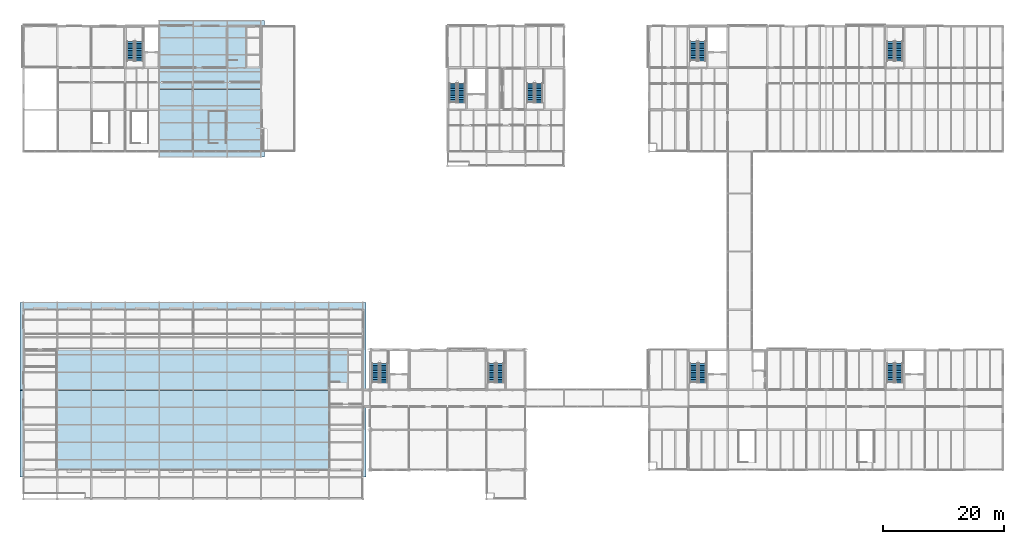
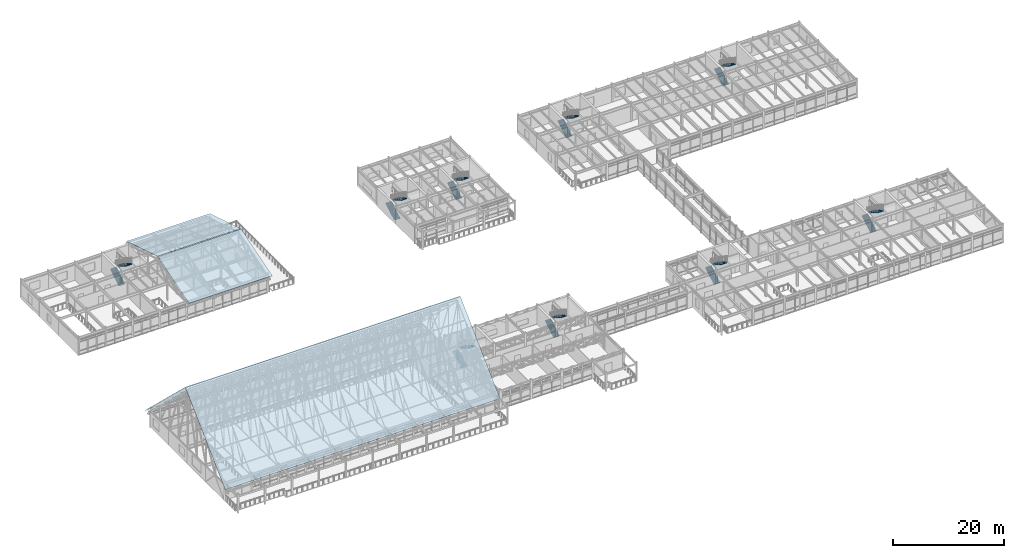
# One storey, part 138 of 144: 18 stair flights, 4 roofs, 9 elements without a shape of their own.
"""IFC4 building model written with IfcOpenShell, lengths in metres."""

from ifc_helpers import new_model, si_unit, direction, frame, origin, place, context, subcontext, project, spatial, polyline, outline, extrude, material, layer, layer_set, type_object, element, aggregate, save


model = new_model("IFC4")

# Units and contexts
model_context = context("Model", 3, precision=1e-05, world=origin(), true_north=direction((0.0, 1.0)))
body_context = subcontext(model_context, "Body", "Model", "MODEL_VIEW")
ifc_project = project(units=[si_unit("LENGTHUNIT", "METRE"), si_unit("AREAUNIT", "SQUARE_METRE"), si_unit("VOLUMEUNIT", "CUBIC_METRE"), si_unit("PLANEANGLEUNIT", "RADIAN"), si_unit("MASSUNIT", "GRAM", prefix="KILO")], contexts=[model_context])

# Site, building, storey
site_placement = place(None, origin())
site = spatial("IfcSite", under=ifc_project, at=site_placement, CompositionType="ELEMENT")
building_placement = place(site_placement, origin())
building = spatial("IfcBuilding", under=site, at=building_placement, Name="Trelmorton Wharf Fire Station", CompositionType="ELEMENT")
storey_placement = place(building_placement, frame((0.0, 0.0, 5.39990234375)))
storey = spatial("IfcBuildingStorey", under=building, at=storey_placement, Name="L01", CompositionType="ELEMENT", Elevation=5.39990234375)

# Stair, stair flights
ifc_material_1 = material(Name="Precast concrete 45 MPa", Category="concrete")
stair_type = type_object("IfcStairType", Name="ST_DOG_420", PredefinedType="HALF_TURN_STAIR", material=ifc_material_1)
stair_1_placement = place(storey_placement, origin())
stair_1 = element("IfcStair", 1, at=stair_1_placement, inside=storey, type_object=stair_type, Name="Escape Stair ST3-L01", PredefinedType="HALF_TURN_STAIR")
ifc_layer_1 = layer(ifc_material_1, 0.139892578125)
ifc_layer_set_1 = layer_set([ifc_layer_1], Name="Precast concrete 45 MPa")
stair_flight_type_1 = type_object("IfcStairFlightType", Name="SF_PRE_120", PredefinedType="STRAIGHT", material=ifc_layer_set_1)
stair_flight_1_placement = place(storey_placement, frame((78.06005859375, 22.139892578125, 0.0), z_axis=(0.0, 0.0, 1.0), x_axis=(0.0, 1.0, 0.0)))
stair_flight_1 = element("IfcStairFlight", 2, at=stair_flight_1_placement, type_object=stair_flight_type_1, Name="ST3-L01 flight 1", NumberOfRisers=12, NumberOfTreads=11, PredefinedType="STRAIGHT", RiserHeight=0.175, TreadLength=0.29, context=body_context, shape_type="SweptSolid", body=[
    extrude(outline(polyline([(0.0, 0.0), (0.0, 0.175048828125), (0.2900390625, 0.175048828125), (0.2900390625, 0.35009765625), (0.580078125, 0.35009765625), (0.580078125, 0.52490234375), (0.8701171875, 0.52490234375), (0.8701171875, 0.699951171875), (1.159912109375, 0.699951171875), (1.159912109375, 0.875), (1.449951171875, 0.875), (1.449951171875, 1.050048828125), (1.739990234375, 1.050048828125), (1.739990234375, 1.22509765625), (2.030029296875, 1.22509765625), (2.030029296875, 1.39990234375), (2.320068359375, 1.39990234375), (2.320068359375, 1.574951171875), (2.610107421875, 1.574951171875), (2.610107421875, 1.75), (2.89990234375, 1.75), (2.89990234375, 1.925048828125), (3.18994140625, 1.925048828125), (3.18994140625, 2.10009765625), (3.18994140625, 1.73828125), (0.3095703125, 0.0), (0.0, 0.0)])), frame((0.0, 0.60009765625, 0.0), z_axis=(0.0, -1.0, 0.0), x_axis=(1.0, 0.0, 0.0)), (0.0, 0.0, 1.0), 1.199951171875),
])
stair_flight_2_placement = place(storey_placement, frame((79.4599609375, 25.330078125, 2.10009765625), z_axis=(0.0, 0.0, 1.0), x_axis=(0.0, -1.0, 0.0)))
stair_flight_2 = element("IfcStairFlight", 3, at=stair_flight_2_placement, type_object=stair_flight_type_1, Name="ST3-L01 flight 2", NumberOfRisers=12, NumberOfTreads=11, PredefinedType="STRAIGHT", RiserHeight=0.175, TreadLength=0.29, context=body_context, shape_type="SweptSolid", body=[
    extrude(outline(polyline([(0.0, 0.0), (0.0, 0.175048828125), (0.2900390625, 0.175048828125), (0.2900390625, 0.35009765625), (0.580078125, 0.35009765625), (0.580078125, 0.52490234375), (0.8701171875, 0.52490234375), (0.8701171875, 0.699951171875), (1.159912109375, 0.699951171875), (1.159912109375, 0.875), (1.449951171875, 0.875), (1.449951171875, 1.050048828125), (1.739990234375, 1.050048828125), (1.739990234375, 1.22509765625), (2.030029296875, 1.22509765625), (2.030029296875, 1.39990234375), (2.320068359375, 1.39990234375), (2.320068359375, 1.574951171875), (2.610107421875, 1.574951171875), (2.610107421875, 1.75), (2.89990234375, 1.75), (2.89990234375, 1.925048828125), (3.18994140625, 1.925048828125), (3.18994140625, 2.10009765625), (3.18994140625, 1.73828125), (0.3095703125, 0.0), (0.0, 0.0)])), frame((0.0, 0.60009765625, 0.0), z_axis=(0.0, -1.0, 0.0), x_axis=(1.0, 0.0, 0.0)), (0.0, 0.0, 1.0), 1.199951171875),
])
aggregate(stair_1, [stair_flight_1, stair_flight_2])

stair_2_placement = place(storey_placement, origin())
stair_2 = element("IfcStair", 4, at=stair_2_placement, inside=storey, type_object=stair_type, Name="Escape Stair ST5-L01", PredefinedType="HALF_TURN_STAIR")
stair_flight_3_placement = place(storey_placement, frame((143.860107421875, 22.139892578125, 0.0), z_axis=(0.0, 0.0, 1.0), x_axis=(0.0, 1.0, 0.0)))
stair_flight_3 = element("IfcStairFlight", 5, at=stair_flight_3_placement, type_object=stair_flight_type_1, Name="ST5-L01 flight 1", NumberOfRisers=12, NumberOfTreads=11, PredefinedType="STRAIGHT", RiserHeight=0.175, TreadLength=0.29, context=body_context, shape_type="SweptSolid", body=[
    extrude(outline(polyline([(0.0, 0.0), (0.0, 0.175048828125), (0.2900390625, 0.175048828125), (0.2900390625, 0.35009765625), (0.580078125, 0.35009765625), (0.580078125, 0.52490234375), (0.8701171875, 0.52490234375), (0.8701171875, 0.699951171875), (1.159912109375, 0.699951171875), (1.159912109375, 0.875), (1.449951171875, 0.875), (1.449951171875, 1.050048828125), (1.739990234375, 1.050048828125), (1.739990234375, 1.22509765625), (2.030029296875, 1.22509765625), (2.030029296875, 1.39990234375), (2.320068359375, 1.39990234375), (2.320068359375, 1.574951171875), (2.610107421875, 1.574951171875), (2.610107421875, 1.75), (2.89990234375, 1.75), (2.89990234375, 1.925048828125), (3.18994140625, 1.925048828125), (3.18994140625, 2.10009765625), (3.18994140625, 1.73828125), (0.3095703125, 0.0), (0.0, 0.0)])), frame((0.0, 0.60009765625, 0.0), z_axis=(0.0, -1.0, 0.0), x_axis=(1.0, 0.0, 0.0)), (0.0, 0.0, 1.0), 1.199951171875),
])
stair_flight_4_placement = place(storey_placement, frame((145.260009765625, 25.330078125, 2.10009765625), z_axis=(0.0, 0.0, 1.0), x_axis=(0.0, -1.0, 0.0)))
stair_flight_4 = element("IfcStairFlight", 6, at=stair_flight_4_placement, type_object=stair_flight_type_1, Name="ST5-L01 flight 2", NumberOfRisers=12, NumberOfTreads=11, PredefinedType="STRAIGHT", RiserHeight=0.175, TreadLength=0.29, context=body_context, shape_type="SweptSolid", body=[
    extrude(outline(polyline([(0.0, 0.0), (0.0, 0.175048828125), (0.2900390625, 0.175048828125), (0.2900390625, 0.35009765625), (0.580078125, 0.35009765625), (0.580078125, 0.52490234375), (0.8701171875, 0.52490234375), (0.8701171875, 0.699951171875), (1.159912109375, 0.699951171875), (1.159912109375, 0.875), (1.449951171875, 0.875), (1.449951171875, 1.050048828125), (1.739990234375, 1.050048828125), (1.739990234375, 1.22509765625), (2.030029296875, 1.22509765625), (2.030029296875, 1.39990234375), (2.320068359375, 1.39990234375), (2.320068359375, 1.574951171875), (2.610107421875, 1.574951171875), (2.610107421875, 1.75), (2.89990234375, 1.75), (2.89990234375, 1.925048828125), (3.18994140625, 1.925048828125), (3.18994140625, 2.10009765625), (3.18994140625, 1.73828125), (0.3095703125, 0.0), (0.0, 0.0)])), frame((0.0, 0.60009765625, 0.0), z_axis=(0.0, -1.0, 0.0), x_axis=(1.0, 0.0, 0.0)), (0.0, 0.0, 1.0), 1.199951171875),
])
aggregate(stair_2, [stair_flight_3, stair_flight_4])

stair_3_placement = place(storey_placement, origin())
stair_3 = element("IfcStair", 7, at=stair_3_placement, inside=storey, type_object=stair_type, Name="Escape Stair ST8-L01", PredefinedType="HALF_TURN_STAIR")
stair_flight_5_placement = place(storey_placement, frame((71.659912109375, 68.340087890625, 0.0), z_axis=(0.0, 0.0, 1.0), x_axis=(0.0, 1.0, 0.0)))
stair_flight_5 = element("IfcStairFlight", 8, at=stair_flight_5_placement, type_object=stair_flight_type_1, Name="ST8-L01 flight 1", NumberOfRisers=12, NumberOfTreads=11, PredefinedType="STRAIGHT", RiserHeight=0.175, TreadLength=0.29, context=body_context, shape_type="SweptSolid", body=[
    extrude(outline(polyline([(0.0, 0.0), (0.0, 0.175048828125), (0.2900390625, 0.175048828125), (0.2900390625, 0.35009765625), (0.580078125, 0.35009765625), (0.580078125, 0.52490234375), (0.8701171875, 0.52490234375), (0.8701171875, 0.699951171875), (1.159912109375, 0.699951171875), (1.159912109375, 0.875), (1.449951171875, 0.875), (1.449951171875, 1.050048828125), (1.739990234375, 1.050048828125), (1.739990234375, 1.22509765625), (2.030029296875, 1.22509765625), (2.030029296875, 1.39990234375), (2.320068359375, 1.39990234375), (2.320068359375, 1.574951171875), (2.610107421875, 1.574951171875), (2.610107421875, 1.75), (2.89990234375, 1.75), (2.89990234375, 1.925048828125), (3.18994140625, 1.925048828125), (3.18994140625, 2.10009765625), (3.18994140625, 1.73828125), (0.3095703125, 0.0), (0.0, 0.0)])), frame((0.0, 0.60009765625, 0.0), z_axis=(0.0, -1.0, 0.0), x_axis=(1.0, 0.0, 0.0)), (0.0, 0.0, 1.0), 1.199951171875),
])
stair_flight_6_placement = place(storey_placement, frame((73.06005859375, 71.530029296875, 2.10009765625), z_axis=(0.0, 0.0, 1.0), x_axis=(0.0, -1.0, 0.0)))
stair_flight_6 = element("IfcStairFlight", 9, at=stair_flight_6_placement, type_object=stair_flight_type_1, Name="ST8-L01 flight 2", NumberOfRisers=12, NumberOfTreads=11, PredefinedType="STRAIGHT", RiserHeight=0.175, TreadLength=0.29, context=body_context, shape_type="SweptSolid", body=[
    extrude(outline(polyline([(0.0, 0.0), (0.0, 0.175048828125), (0.2900390625, 0.175048828125), (0.2900390625, 0.35009765625), (0.580078125, 0.35009765625), (0.580078125, 0.52490234375), (0.8701171875, 0.52490234375), (0.8701171875, 0.699951171875), (1.159912109375, 0.699951171875), (1.159912109375, 0.875), (1.449951171875, 0.875), (1.449951171875, 1.050048828125), (1.739990234375, 1.050048828125), (1.739990234375, 1.22509765625), (2.030029296875, 1.22509765625), (2.030029296875, 1.39990234375), (2.320068359375, 1.39990234375), (2.320068359375, 1.574951171875), (2.610107421875, 1.574951171875), (2.610107421875, 1.75), (2.89990234375, 1.75), (2.89990234375, 1.925048828125), (3.18994140625, 1.925048828125), (3.18994140625, 2.10009765625), (3.18994140625, 1.73828125), (0.3095703125, 0.0), (0.0, 0.0)])), frame((0.0, 0.60009765625, 0.0), z_axis=(0.0, -1.0, 0.0), x_axis=(1.0, 0.0, 0.0)), (0.0, 0.0, 1.0), 1.199951171875),
])
aggregate(stair_3, [stair_flight_5, stair_flight_6])

stair_4_placement = place(storey_placement, origin())
stair_4 = element("IfcStair", 10, at=stair_4_placement, inside=storey, type_object=stair_type, Name="Escape Stair ST9-L01", PredefinedType="HALF_TURN_STAIR")
stair_flight_7_placement = place(storey_placement, frame((84.4599609375, 68.340087890625, 0.0), z_axis=(0.0, 0.0, 1.0), x_axis=(0.0, 1.0, 0.0)))
stair_flight_7 = element("IfcStairFlight", 11, at=stair_flight_7_placement, type_object=stair_flight_type_1, Name="ST9-L01 flight 1", NumberOfRisers=12, NumberOfTreads=11, PredefinedType="STRAIGHT", RiserHeight=0.175, TreadLength=0.29, context=body_context, shape_type="SweptSolid", body=[
    extrude(outline(polyline([(0.0, 0.0), (0.0, 0.175048828125), (0.2900390625, 0.175048828125), (0.2900390625, 0.35009765625), (0.580078125, 0.35009765625), (0.580078125, 0.52490234375), (0.8701171875, 0.52490234375), (0.8701171875, 0.699951171875), (1.159912109375, 0.699951171875), (1.159912109375, 0.875), (1.449951171875, 0.875), (1.449951171875, 1.050048828125), (1.739990234375, 1.050048828125), (1.739990234375, 1.22509765625), (2.030029296875, 1.22509765625), (2.030029296875, 1.39990234375), (2.320068359375, 1.39990234375), (2.320068359375, 1.574951171875), (2.610107421875, 1.574951171875), (2.610107421875, 1.75), (2.89990234375, 1.75), (2.89990234375, 1.925048828125), (3.18994140625, 1.925048828125), (3.18994140625, 2.10009765625), (3.18994140625, 1.73828125), (0.3095703125, 0.0), (0.0, 0.0)])), frame((0.0, 0.60009765625, 0.0), z_axis=(0.0, -1.0, 0.0), x_axis=(1.0, 0.0, 0.0)), (0.0, 0.0, 1.0), 1.199951171875),
])
stair_flight_8_placement = place(storey_placement, frame((85.860107421875, 71.530029296875, 2.10009765625), z_axis=(0.0, 0.0, 1.0), x_axis=(0.0, -1.0, 0.0)))
stair_flight_8 = element("IfcStairFlight", 12, at=stair_flight_8_placement, type_object=stair_flight_type_1, Name="ST9-L01 flight 2", NumberOfRisers=12, NumberOfTreads=11, PredefinedType="STRAIGHT", RiserHeight=0.175, TreadLength=0.29, context=body_context, shape_type="SweptSolid", body=[
    extrude(outline(polyline([(0.0, 0.0), (0.0, 0.175048828125), (0.2900390625, 0.175048828125), (0.2900390625, 0.35009765625), (0.580078125, 0.35009765625), (0.580078125, 0.52490234375), (0.8701171875, 0.52490234375), (0.8701171875, 0.699951171875), (1.159912109375, 0.699951171875), (1.159912109375, 0.875), (1.449951171875, 0.875), (1.449951171875, 1.050048828125), (1.739990234375, 1.050048828125), (1.739990234375, 1.22509765625), (2.030029296875, 1.22509765625), (2.030029296875, 1.39990234375), (2.320068359375, 1.39990234375), (2.320068359375, 1.574951171875), (2.610107421875, 1.574951171875), (2.610107421875, 1.75), (2.89990234375, 1.75), (2.89990234375, 1.925048828125), (3.18994140625, 1.925048828125), (3.18994140625, 2.10009765625), (3.18994140625, 1.73828125), (0.3095703125, 0.0), (0.0, 0.0)])), frame((0.0, 0.60009765625, 0.0), z_axis=(0.0, -1.0, 0.0), x_axis=(1.0, 0.0, 0.0)), (0.0, 0.0, 1.0), 1.199951171875),
])
aggregate(stair_4, [stair_flight_7, stair_flight_8])

stair_5_placement = place(storey_placement, origin())
stair_5 = element("IfcStair", 13, at=stair_5_placement, inside=storey, type_object=stair_type, Name="Escape Stair ST10-L01", PredefinedType="HALF_TURN_STAIR")
stair_flight_9_placement = place(storey_placement, frame((111.360107421875, 75.239990234375, 0.0), z_axis=(0.0, 0.0, 1.0), x_axis=(0.0, 1.0, 0.0)))
stair_flight_9 = element("IfcStairFlight", 14, at=stair_flight_9_placement, type_object=stair_flight_type_1, Name="ST10-L01 flight 1", NumberOfRisers=12, NumberOfTreads=11, PredefinedType="STRAIGHT", RiserHeight=0.175, TreadLength=0.29, context=body_context, shape_type="SweptSolid", body=[
    extrude(outline(polyline([(0.0, 0.0), (0.0, 0.175048828125), (0.2900390625, 0.175048828125), (0.2900390625, 0.35009765625), (0.580078125, 0.35009765625), (0.580078125, 0.52490234375), (0.8701171875, 0.52490234375), (0.8701171875, 0.699951171875), (1.159912109375, 0.699951171875), (1.159912109375, 0.875), (1.449951171875, 0.875), (1.449951171875, 1.050048828125), (1.739990234375, 1.050048828125), (1.739990234375, 1.22509765625), (2.030029296875, 1.22509765625), (2.030029296875, 1.39990234375), (2.320068359375, 1.39990234375), (2.320068359375, 1.574951171875), (2.610107421875, 1.574951171875), (2.610107421875, 1.75), (2.89990234375, 1.75), (2.89990234375, 1.925048828125), (3.18994140625, 1.925048828125), (3.18994140625, 2.10009765625), (3.18994140625, 1.73828125), (0.3095703125, 0.0), (0.0, 0.0)])), frame((0.0, 0.60009765625, 0.0), z_axis=(0.0, -1.0, 0.0), x_axis=(1.0, 0.0, 0.0)), (0.0, 0.0, 1.0), 1.199951171875),
])
stair_flight_10_placement = place(storey_placement, frame((112.760009765625, 78.429931640625, 2.10009765625), z_axis=(0.0, 0.0, 1.0), x_axis=(0.0, -1.0, 0.0)))
stair_flight_10 = element("IfcStairFlight", 15, at=stair_flight_10_placement, type_object=stair_flight_type_1, Name="ST10-L01 flight 2", NumberOfRisers=12, NumberOfTreads=11, PredefinedType="STRAIGHT", RiserHeight=0.175, TreadLength=0.29, context=body_context, shape_type="SweptSolid", body=[
    extrude(outline(polyline([(0.0, 0.0), (0.0, 0.175048828125), (0.2900390625, 0.175048828125), (0.2900390625, 0.35009765625), (0.580078125, 0.35009765625), (0.580078125, 0.52490234375), (0.8701171875, 0.52490234375), (0.8701171875, 0.699951171875), (1.159912109375, 0.699951171875), (1.159912109375, 0.875), (1.449951171875, 0.875), (1.449951171875, 1.050048828125), (1.739990234375, 1.050048828125), (1.739990234375, 1.22509765625), (2.030029296875, 1.22509765625), (2.030029296875, 1.39990234375), (2.320068359375, 1.39990234375), (2.320068359375, 1.574951171875), (2.610107421875, 1.574951171875), (2.610107421875, 1.75), (2.89990234375, 1.75), (2.89990234375, 1.925048828125), (3.18994140625, 1.925048828125), (3.18994140625, 2.10009765625), (3.18994140625, 1.73828125), (0.3095703125, 0.0), (0.0, 0.0)])), frame((0.0, 0.60009765625, 0.0), z_axis=(0.0, -1.0, 0.0), x_axis=(1.0, 0.0, 0.0)), (0.0, 0.0, 1.0), 1.199951171875),
])
aggregate(stair_5, [stair_flight_9, stair_flight_10])

stair_6_placement = place(storey_placement, origin())
stair_6 = element("IfcStair", 16, at=stair_6_placement, inside=storey, type_object=stair_type, Name="Escape Stair ST11-L01", PredefinedType="HALF_TURN_STAIR")
stair_flight_11_placement = place(storey_placement, frame((143.860107421875, 75.239990234375, 0.0), z_axis=(0.0, 0.0, 1.0), x_axis=(0.0, 1.0, 0.0)))
stair_flight_11 = element("IfcStairFlight", 17, at=stair_flight_11_placement, type_object=stair_flight_type_1, Name="ST11-L01 flight 1", NumberOfRisers=12, NumberOfTreads=11, PredefinedType="STRAIGHT", RiserHeight=0.175, TreadLength=0.29, context=body_context, shape_type="SweptSolid", body=[
    extrude(outline(polyline([(0.0, 0.0), (0.0, 0.175048828125), (0.2900390625, 0.175048828125), (0.2900390625, 0.35009765625), (0.580078125, 0.35009765625), (0.580078125, 0.52490234375), (0.8701171875, 0.52490234375), (0.8701171875, 0.699951171875), (1.159912109375, 0.699951171875), (1.159912109375, 0.875), (1.449951171875, 0.875), (1.449951171875, 1.050048828125), (1.739990234375, 1.050048828125), (1.739990234375, 1.22509765625), (2.030029296875, 1.22509765625), (2.030029296875, 1.39990234375), (2.320068359375, 1.39990234375), (2.320068359375, 1.574951171875), (2.610107421875, 1.574951171875), (2.610107421875, 1.75), (2.89990234375, 1.75), (2.89990234375, 1.925048828125), (3.18994140625, 1.925048828125), (3.18994140625, 2.10009765625), (3.18994140625, 1.73828125), (0.3095703125, 0.0), (0.0, 0.0)])), frame((0.0, 0.60009765625, 0.0), z_axis=(0.0, -1.0, 0.0), x_axis=(1.0, 0.0, 0.0)), (0.0, 0.0, 1.0), 1.199951171875),
])
stair_flight_12_placement = place(storey_placement, frame((145.260009765625, 78.429931640625, 2.10009765625), z_axis=(0.0, 0.0, 1.0), x_axis=(0.0, -1.0, 0.0)))
stair_flight_12 = element("IfcStairFlight", 18, at=stair_flight_12_placement, type_object=stair_flight_type_1, Name="ST11-L01 flight 2", NumberOfRisers=12, NumberOfTreads=11, PredefinedType="STRAIGHT", RiserHeight=0.175, TreadLength=0.29, context=body_context, shape_type="SweptSolid", body=[
    extrude(outline(polyline([(0.0, 0.0), (0.0, 0.175048828125), (0.2900390625, 0.175048828125), (0.2900390625, 0.35009765625), (0.580078125, 0.35009765625), (0.580078125, 0.52490234375), (0.8701171875, 0.52490234375), (0.8701171875, 0.699951171875), (1.159912109375, 0.699951171875), (1.159912109375, 0.875), (1.449951171875, 0.875), (1.449951171875, 1.050048828125), (1.739990234375, 1.050048828125), (1.739990234375, 1.22509765625), (2.030029296875, 1.22509765625), (2.030029296875, 1.39990234375), (2.320068359375, 1.39990234375), (2.320068359375, 1.574951171875), (2.610107421875, 1.574951171875), (2.610107421875, 1.75), (2.89990234375, 1.75), (2.89990234375, 1.925048828125), (3.18994140625, 1.925048828125), (3.18994140625, 2.10009765625), (3.18994140625, 1.73828125), (0.3095703125, 0.0), (0.0, 0.0)])), frame((0.0, 0.60009765625, 0.0), z_axis=(0.0, -1.0, 0.0), x_axis=(1.0, 0.0, 0.0)), (0.0, 0.0, 1.0), 1.199951171875),
])
aggregate(stair_6, [stair_flight_11, stair_flight_12])

stair_7_placement = place(storey_placement, origin())
stair_7 = element("IfcStair", 19, at=stair_7_placement, inside=storey, type_object=stair_type, Name="Escape Stair ST2-L01", PredefinedType="HALF_TURN_STAIR")
ifc_layer_2 = layer(ifc_material_1, 0.159912109375)
ifc_layer_set_2 = layer_set([ifc_layer_2], Name="Precast concrete 45 MPa")
stair_flight_type_2 = type_object("IfcStairFlightType", Name="SF_PRE_124", PredefinedType="STRAIGHT", material=ifc_layer_set_2)
stair_flight_13_placement = place(storey_placement, frame((58.8798828125, 22.139892578125, 0.0), z_axis=(0.0, 0.0, 1.0), x_axis=(0.0, 1.0, 0.0)))
stair_flight_13 = element("IfcStairFlight", 20, at=stair_flight_13_placement, type_object=stair_flight_type_2, Name="ST2-L01 flight 1", NumberOfRisers=12, NumberOfTreads=11, PredefinedType="STRAIGHT", RiserHeight=0.175, TreadLength=0.29, context=body_context, shape_type="SweptSolid", body=[
    extrude(outline(polyline([(0.0, 0.0), (0.0, 0.175048828125), (0.2900390625, 0.175048828125), (0.2900390625, 0.35009765625), (0.580078125, 0.35009765625), (0.580078125, 0.52490234375), (0.8701171875, 0.52490234375), (0.8701171875, 0.699951171875), (1.159912109375, 0.699951171875), (1.159912109375, 0.875), (1.449951171875, 0.875), (1.449951171875, 1.050048828125), (1.739990234375, 1.050048828125), (1.739990234375, 1.22509765625), (2.030029296875, 1.22509765625), (2.030029296875, 1.39990234375), (2.320068359375, 1.39990234375), (2.320068359375, 1.574951171875), (2.610107421875, 1.574951171875), (2.610107421875, 1.75), (2.89990234375, 1.75), (2.89990234375, 1.925048828125), (3.18994140625, 1.925048828125), (3.18994140625, 2.10009765625), (3.18994140625, 1.73828125), (0.3095703125, 0.0), (0.0, 0.0)])), frame((0.0, 0.6201171875, 0.0), z_axis=(0.0, -1.0, 0.0), x_axis=(1.0, 0.0, 0.0)), (0.0, 0.0, 1.0), 1.239990234375),
])
stair_flight_14_placement = place(storey_placement, frame((60.320068359375, 25.330078125, 2.10009765625), z_axis=(0.0, 0.0, 1.0), x_axis=(0.0, -1.0, 0.0)))
stair_flight_14 = element("IfcStairFlight", 21, at=stair_flight_14_placement, type_object=stair_flight_type_2, Name="ST2-L01 flight 2", NumberOfRisers=12, NumberOfTreads=11, PredefinedType="STRAIGHT", RiserHeight=0.175, TreadLength=0.29, context=body_context, shape_type="SweptSolid", body=[
    extrude(outline(polyline([(0.0, 0.0), (0.0, 0.175048828125), (0.2900390625, 0.175048828125), (0.2900390625, 0.35009765625), (0.580078125, 0.35009765625), (0.580078125, 0.52490234375), (0.8701171875, 0.52490234375), (0.8701171875, 0.699951171875), (1.159912109375, 0.699951171875), (1.159912109375, 0.875), (1.449951171875, 0.875), (1.449951171875, 1.050048828125), (1.739990234375, 1.050048828125), (1.739990234375, 1.22509765625), (2.030029296875, 1.22509765625), (2.030029296875, 1.39990234375), (2.320068359375, 1.39990234375), (2.320068359375, 1.574951171875), (2.610107421875, 1.574951171875), (2.610107421875, 1.75), (2.89990234375, 1.75), (2.89990234375, 1.925048828125), (3.18994140625, 1.925048828125), (3.18994140625, 2.10009765625), (3.18994140625, 1.73828125), (0.3095703125, 0.0), (0.0, 0.0)])), frame((0.0, 0.6201171875, 0.0), z_axis=(0.0, -1.0, 0.0), x_axis=(1.0, 0.0, 0.0)), (0.0, 0.0, 1.0), 1.239990234375),
])
aggregate(stair_7, [stair_flight_13, stair_flight_14])

stair_8_placement = place(storey_placement, origin())
stair_8 = element("IfcStair", 22, at=stair_8_placement, inside=storey, type_object=stair_type, Name="Escape Stair ST4-L01", PredefinedType="HALF_TURN_STAIR")
stair_flight_15_placement = place(storey_placement, frame((111.3798828125, 22.139892578125, 0.0), z_axis=(0.0, 0.0, 1.0), x_axis=(0.0, 1.0, 0.0)))
stair_flight_15 = element("IfcStairFlight", 23, at=stair_flight_15_placement, type_object=stair_flight_type_2, Name="ST4-L01 flight 1", NumberOfRisers=12, NumberOfTreads=11, PredefinedType="STRAIGHT", RiserHeight=0.175, TreadLength=0.29, context=body_context, shape_type="SweptSolid", body=[
    extrude(outline(polyline([(0.0, 0.0), (0.0, 0.175048828125), (0.2900390625, 0.175048828125), (0.2900390625, 0.35009765625), (0.580078125, 0.35009765625), (0.580078125, 0.52490234375), (0.8701171875, 0.52490234375), (0.8701171875, 0.699951171875), (1.159912109375, 0.699951171875), (1.159912109375, 0.875), (1.449951171875, 0.875), (1.449951171875, 1.050048828125), (1.739990234375, 1.050048828125), (1.739990234375, 1.22509765625), (2.030029296875, 1.22509765625), (2.030029296875, 1.39990234375), (2.320068359375, 1.39990234375), (2.320068359375, 1.574951171875), (2.610107421875, 1.574951171875), (2.610107421875, 1.75), (2.89990234375, 1.75), (2.89990234375, 1.925048828125), (3.18994140625, 1.925048828125), (3.18994140625, 2.10009765625), (3.18994140625, 1.73828125), (0.3095703125, 0.0), (0.0, 0.0)])), frame((0.0, 0.6201171875, 0.0), z_axis=(0.0, -1.0, 0.0), x_axis=(1.0, 0.0, 0.0)), (0.0, 0.0, 1.0), 1.239990234375),
])
stair_flight_16_placement = place(storey_placement, frame((112.820068359375, 25.330078125, 2.10009765625), z_axis=(0.0, 0.0, 1.0), x_axis=(0.0, -1.0, 0.0)))
stair_flight_16 = element("IfcStairFlight", 24, at=stair_flight_16_placement, type_object=stair_flight_type_2, Name="ST4-L01 flight 2", NumberOfRisers=12, NumberOfTreads=11, PredefinedType="STRAIGHT", RiserHeight=0.175, TreadLength=0.29, context=body_context, shape_type="SweptSolid", body=[
    extrude(outline(polyline([(0.0, 0.0), (0.0, 0.175048828125), (0.2900390625, 0.175048828125), (0.2900390625, 0.35009765625), (0.580078125, 0.35009765625), (0.580078125, 0.52490234375), (0.8701171875, 0.52490234375), (0.8701171875, 0.699951171875), (1.159912109375, 0.699951171875), (1.159912109375, 0.875), (1.449951171875, 0.875), (1.449951171875, 1.050048828125), (1.739990234375, 1.050048828125), (1.739990234375, 1.22509765625), (2.030029296875, 1.22509765625), (2.030029296875, 1.39990234375), (2.320068359375, 1.39990234375), (2.320068359375, 1.574951171875), (2.610107421875, 1.574951171875), (2.610107421875, 1.75), (2.89990234375, 1.75), (2.89990234375, 1.925048828125), (3.18994140625, 1.925048828125), (3.18994140625, 2.10009765625), (3.18994140625, 1.73828125), (0.3095703125, 0.0), (0.0, 0.0)])), frame((0.0, 0.6201171875, 0.0), z_axis=(0.0, -1.0, 0.0), x_axis=(1.0, 0.0, 0.0)), (0.0, 0.0, 1.0), 1.239990234375),
])
aggregate(stair_8, [stair_flight_15, stair_flight_16])

stair_9_placement = place(storey_placement, origin())
stair_9 = element("IfcStair", 25, at=stair_9_placement, inside=storey, type_object=stair_type, Name="Escape Stair ST6-L01", PredefinedType="HALF_TURN_STAIR")
stair_flight_17_placement = place(storey_placement, frame((18.47998046875, 75.239990234375, 0.0), z_axis=(0.0, 0.0, 1.0), x_axis=(0.0, 1.0, 0.0)))
stair_flight_17 = element("IfcStairFlight", 26, at=stair_flight_17_placement, type_object=stair_flight_type_2, Name="ST6-L01 flight 1", NumberOfRisers=12, NumberOfTreads=11, PredefinedType="STRAIGHT", RiserHeight=0.175, TreadLength=0.29, context=body_context, shape_type="SweptSolid", body=[
    extrude(outline(polyline([(0.0, 0.0), (0.0, 0.175048828125), (0.2900390625, 0.175048828125), (0.2900390625, 0.35009765625), (0.580078125, 0.35009765625), (0.580078125, 0.52490234375), (0.8701171875, 0.52490234375), (0.8701171875, 0.699951171875), (1.159912109375, 0.699951171875), (1.159912109375, 0.875), (1.449951171875, 0.875), (1.449951171875, 1.050048828125), (1.739990234375, 1.050048828125), (1.739990234375, 1.22509765625), (2.030029296875, 1.22509765625), (2.030029296875, 1.39990234375), (2.320068359375, 1.39990234375), (2.320068359375, 1.574951171875), (2.610107421875, 1.574951171875), (2.610107421875, 1.75), (2.89990234375, 1.75), (2.89990234375, 1.925048828125), (3.18994140625, 1.925048828125), (3.18994140625, 2.10009765625), (3.18994140625, 1.73828125), (0.3095703125, 0.0), (0.0, 0.0)])), frame((0.0, 0.6201171875, 0.0), z_axis=(0.0, -1.0, 0.0), x_axis=(1.0, 0.0, 0.0)), (0.0, 0.0, 1.0), 1.239990234375),
])
stair_flight_18_placement = place(storey_placement, frame((19.919921875, 78.429931640625, 2.10009765625), z_axis=(0.0, 0.0, 1.0), x_axis=(0.0, -1.0, 0.0)))
stair_flight_18 = element("IfcStairFlight", 27, at=stair_flight_18_placement, type_object=stair_flight_type_2, Name="ST6-L01 flight 2", NumberOfRisers=12, NumberOfTreads=11, PredefinedType="STRAIGHT", RiserHeight=0.175, TreadLength=0.29, context=body_context, shape_type="SweptSolid", body=[
    extrude(outline(polyline([(0.0, 0.0), (0.0, 0.175048828125), (0.2900390625, 0.175048828125), (0.2900390625, 0.35009765625), (0.580078125, 0.35009765625), (0.580078125, 0.52490234375), (0.8701171875, 0.52490234375), (0.8701171875, 0.699951171875), (1.159912109375, 0.699951171875), (1.159912109375, 0.875), (1.449951171875, 0.875), (1.449951171875, 1.050048828125), (1.739990234375, 1.050048828125), (1.739990234375, 1.22509765625), (2.030029296875, 1.22509765625), (2.030029296875, 1.39990234375), (2.320068359375, 1.39990234375), (2.320068359375, 1.574951171875), (2.610107421875, 1.574951171875), (2.610107421875, 1.75), (2.89990234375, 1.75), (2.89990234375, 1.925048828125), (3.18994140625, 1.925048828125), (3.18994140625, 2.10009765625), (3.18994140625, 1.73828125), (0.3095703125, 0.0), (0.0, 0.0)])), frame((0.0, 0.6201171875, 0.0), z_axis=(0.0, -1.0, 0.0), x_axis=(1.0, 0.0, 0.0)), (0.0, 0.0, 1.0), 1.239990234375),
])
aggregate(stair_9, [stair_flight_17, stair_flight_18])

# Roofs
ifc_material_2 = material(Name="Colorsteel standing-seam roofing", Category="steel")
ifc_layer_3 = layer(ifc_material_2, 0.06005859375)
ifc_layer_set_3 = layer_set([ifc_layer_3], Name="Colorsteel standing-seam roofing")
roof_type = type_object("IfcRoofType", Name="RF_STANDING_SEAM", PredefinedType="GABLE_ROOF", material=ifc_layer_set_3)
for number, where, z_axis, x_axis, name in (
    (28, (0.25, 6.60009765625, 3.114501953125), (0.0, -0.692494446999, 0.721423205113), (1.0, 0.0, 0.0), "RF-GABLE-V1-S"),
    (29, (0.25, 21.080078125, 16.860107421875), (0.0, 0.692494446999, 0.721423205113), (1.0, 0.0, 0.0), "RF-GABLE-V1-N"),
):
    element("IfcRoof", number, at=place(storey_placement, frame(where, z_axis=z_axis, x_axis=x_axis)), inside=storey, type_object=roof_type, Name=name, PredefinedType="GABLE_ROOF", context=body_context, shape_type="SweptSolid", body=[
        extrude(outline(polyline([(0.0, 0.0), (57.10009765625, 0.0), (57.10009765625, 19.849408942294197), (0.0, 19.849408942294197), (0.0, 0.0)])), origin(), (0.0, 0.0, -1.0), 0.06005859375),
    ])
roof_1_placement = place(storey_placement, frame((23.199951171875, 59.39990234375, 3.981689453125), z_axis=(0.0, -0.297327838317, 0.95477544824), x_axis=(1.0, 0.0, 0.0)))
element("IfcRoof", 30, at=roof_1_placement, inside=storey, type_object=roof_type, Name="RF-GABLE-V6-S", PredefinedType="GABLE_ROOF", context=body_context, shape_type="SweptSolid", body=[
    extrude(outline(polyline([(0.0, 0.0), (17.35009765625, 0.0), (17.35009765625, 11.699259795815838), (0.0, 11.699259795815838), (0.0, 0.0)])), origin(), (0.0, 0.0, -1.0), 0.06005859375),
])
roof_2_placement = place(storey_placement, frame((23.199951171875, 70.72998046875, 7.460205078125), z_axis=(0.0, 0.297333762476, 0.95477360337), x_axis=(1.0, 0.0, 0.0)))
element("IfcRoof", 31, at=roof_2_placement, inside=storey, type_object=roof_type, Name="RF-GABLE-V6-N", PredefinedType="GABLE_ROOF", context=body_context, shape_type="SweptSolid", body=[
    extrude(outline(polyline([(0.0, 0.0), (17.35009765625, 0.0), (17.35009765625, 11.69902669656637), (0.0, 11.69902669656637), (0.0, 0.0)])), origin(), (0.0, 0.0, -1.0), 0.06005859375),
])

save(model, "model.ifc")
